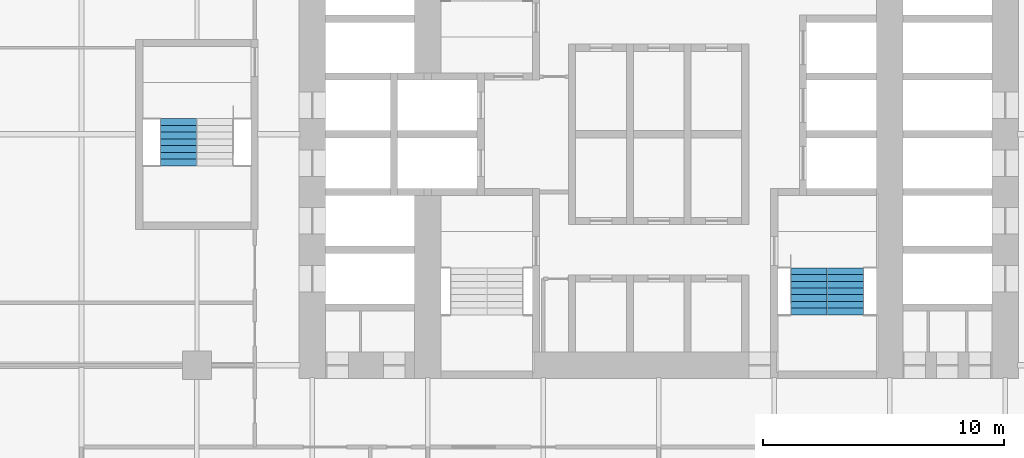
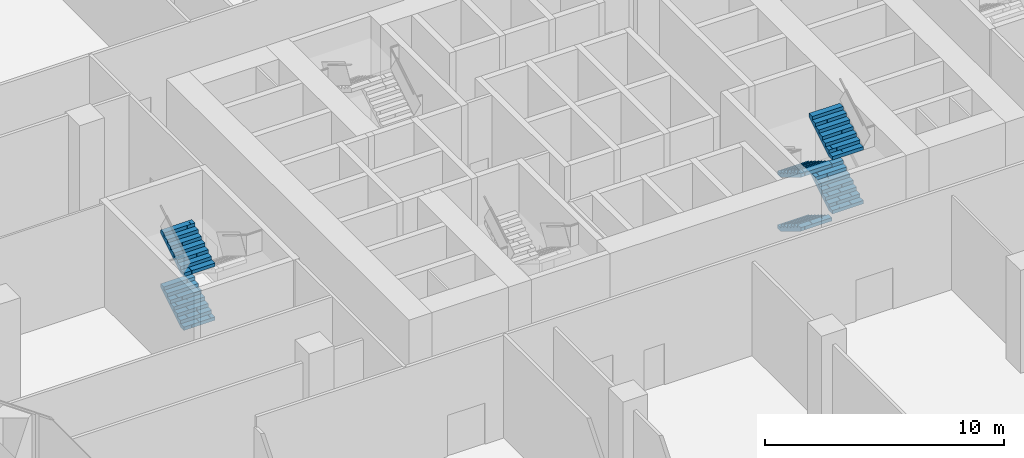
# One storey, part 23 of 27: 6 stair flights, 2 elements without a shape of their own.
"""IFC4 building model written with IfcOpenShell, lengths in metres."""

import ifcopenshell
import ifcopenshell.guid

model = None  # the IFC model being written
_history = None  # IfcOwnerHistory: only IFC2X3 demands one
_inside = {}  # id of a spatial element -> (the spatial element, [elements in it])
_under = {}  # id of a project, library or spatial element -> (it, [spatial elements below it])
_declared = {}  # id of a project -> (the project, [libraries it declares])
_typed = {}  # id of a type object -> (the type object, [elements of that type])
_made_of = {}  # id of a material, layer set ... -> (it, [elements and type objects made of it])


def new_model(schema):
    """Start an empty IFC model of exactly this schema.

    Asked for "IFC4X3", IfcOpenShell would pick the latest addendum, in which some entities
    have other attributes; the version numbers below select the first issue.
    IFC2X3 requires an IfcOwnerHistory on every rooted entity: one is made here for all.
    """
    global model, _history
    if schema == "IFC4X3":
        model = ifcopenshell.file(schema_version=(4, 3, 0, 0))
    else:
        model = ifcopenshell.file(schema=schema)
    _inside.clear()
    _under.clear()
    _declared.clear()
    _typed.clear()
    _made_of.clear()
    _history = None
    if model.schema == "IFC2X3":
        org = make("IfcOrganization", Name="unknown")
        user = make(
            "IfcPersonAndOrganization",
            ThePerson=make("IfcPerson", FamilyName="unknown"),
            TheOrganization=org,
        )
        app = make(
            "IfcApplication",
            ApplicationDeveloper=org,
            Version="unknown",
            ApplicationFullName="unknown",
            ApplicationIdentifier="unknown",
        )
        _history = make(
            "IfcOwnerHistory",
            OwningUser=user,
            OwningApplication=app,
            ChangeAction="ADDED",
            CreationDate=0,
        )
    return model


def make(cls, **values):
    """One entity of the class cls with the attributes given. An attribute that is None is left unset."""
    return model.create_entity(
        cls, **{name: value for name, value in values.items() if value is not None}
    )


def rooted(cls, **values):
    """An entity with a GlobalId (a new one), such as an element, a storey or a relation."""
    return make(cls, GlobalId=ifcopenshell.guid.new(), OwnerHistory=_history, **values)


def si_unit(unit_type, name, prefix=None):
    """IfcSIUnit, for example si_unit("LENGTHUNIT", "METRE", prefix="MILLI")."""
    return make("IfcSIUnit", UnitType=unit_type, Prefix=prefix, Name=name)


def assignment(units):
    """IfcUnitAssignment: the units of a project."""
    return None if units is None else make("IfcUnitAssignment", Units=units)


def point(xyz):
    """IfcCartesianPoint."""
    return None if xyz is None else make("IfcCartesianPoint", Coordinates=xyz)


def direction(xyz):
    """IfcDirection."""
    return None if xyz is None else make("IfcDirection", DirectionRatios=xyz)


def frame(location, z_axis=None, x_axis=None):
    """IfcAxis2Placement3D, a coordinate frame: its origin and axes. An axis left out is left unset."""
    return make(
        "IfcAxis2Placement3D",
        Location=point(location),
        Axis=direction(z_axis),
        RefDirection=direction(x_axis),
    )


def origin():
    """The frame at (0, 0, 0) with its axes left unset."""
    return frame((0.0, 0.0, 0.0))


def place(relative_to, where):
    """IfcLocalPlacement: puts the frame where relative to a parent placement (None: the world)."""
    return make(
        "IfcLocalPlacement", PlacementRelTo=relative_to, RelativePlacement=where
    )


def context(
    kind, dimensions, precision=None, world=None, true_north=None, identifier=None
):
    """IfcGeometricRepresentationContext, for example the 3D "Model" context."""
    return make(
        "IfcGeometricRepresentationContext",
        ContextIdentifier=identifier,
        ContextType=kind,
        CoordinateSpaceDimension=dimensions,
        Precision=precision,
        WorldCoordinateSystem=world,
        TrueNorth=true_north,
    )


def subcontext(parent, identifier, kind, view, scale=None):
    """IfcGeometricRepresentationSubContext, for example "Body" below "Model"."""
    return make(
        "IfcGeometricRepresentationSubContext",
        ContextIdentifier=identifier,
        ContextType=kind,
        ParentContext=parent,
        TargetScale=scale,
        TargetView=view,
    )


def project(units=None, contexts=None):
    """IfcProject with its units and contexts."""
    return rooted(
        "IfcProject",
        Name="project",
        RepresentationContexts=contexts,
        UnitsInContext=assignment(units),
    )


def spatial(cls, under=None, at=None, **own):
    """A site, building, storey or space (cls), placed at a placement, below another one or the project."""
    s = rooted(cls, ObjectPlacement=at, **own)
    if under is not None:
        _under.setdefault(under.id(), (under, []))[1].append(s)
    return s


def polyline(points):
    """IfcPolyline through the points."""
    return make("IfcPolyline", Points=[point(p) for p in points])


def outline(outer, holes=None, kind="AREA"):
    """IfcArbitraryClosedProfileDef: a profile drawn as a closed curve; with holes, ...WithVoids."""
    if holes is None:
        return make("IfcArbitraryClosedProfileDef", ProfileType=kind, OuterCurve=outer)
    return make(
        "IfcArbitraryProfileDefWithVoids",
        ProfileType=kind,
        OuterCurve=outer,
        InnerCurves=holes,
    )


def extrude(swept, where, along, depth):
    """IfcExtrudedAreaSolid: the profile swept, set in the frame where, extruded along a direction by depth."""
    return make(
        "IfcExtrudedAreaSolid",
        SweptArea=swept,
        Position=where,
        ExtrudedDirection=direction(along),
        Depth=depth,
    )


def shape(context_of_items, identifier, shape_type, items):
    """IfcShapeRepresentation: the items that make up one representation, for example the "Body"."""
    return make(
        "IfcShapeRepresentation",
        ContextOfItems=context_of_items,
        RepresentationIdentifier=identifier,
        RepresentationType=shape_type,
        Items=items,
    )


def material(Name=None, Category=None):
    """IfcMaterial."""
    return make("IfcMaterial", Name=Name, Category=Category)


def made_of(thing, what):
    """Note that an element or type object is made of a material, layer set ...; save() writes the relation."""
    if what is not None:
        _made_of.setdefault(what.id(), (what, []))[1].append(thing)
    return thing


def type_object(cls, material=None, **own):
    """A type object (cls), such as IfcWallType, which elements share."""
    return made_of(rooted(cls, **own), material)


def element(
    cls,
    number,
    at=None,
    inside=None,
    cuts=None,
    type_object=None,
    material=None,
    context=None,
    identifier="Body",
    shape_type=None,
    held_by="IfcProductDefinitionShape",
    body=None,
    shapes=None,
    **own,
):
    """One element of the class cls, such as IfcWall. Its Tag is "e" and its number.

    at: its placement. inside: the storey or other place that contains it. cuts: it is an
    opening in that element (IfcRelVoidsElement). A single representation is given by context,
    identifier, shape_type and body (its items); several are given by shapes. held_by: the class
    of the entity that holds the representations. save() writes the other relations.
    """
    e = rooted(cls, Tag="e%d" % number, ObjectPlacement=at, **own)
    if body is not None:
        shapes = [shape(context, identifier, shape_type, body)]
    if shapes is not None:
        e.Representation = make(held_by, Representations=shapes)
    if inside is not None:
        _inside.setdefault(inside.id(), (inside, []))[1].append(e)
    if cuts is not None:
        rooted(
            "IfcRelVoidsElement", RelatingBuildingElement=cuts, RelatedOpeningElement=e
        )
    if type_object is not None:
        _typed.setdefault(type_object.id(), (type_object, []))[1].append(e)
    return made_of(e, material)


def aggregate(whole, parts):
    """IfcRelAggregates: a whole, such as a stair, and the parts it consists of."""
    return rooted("IfcRelAggregates", RelatingObject=whole, RelatedObjects=parts)


def save(model, path):
    """Write the relations noted so far, then the file.

    IfcRelAggregates (storeys below a building ...), IfcRelContainedInSpatialStructure (elements
    in a storey), IfcRelDefinesByType, IfcRelAssociatesMaterial and IfcRelDeclares: one each for
    every whole, place, type object, material and project.
    """
    for whole, parts in _under.values():
        aggregate(whole, parts)
    for where, things in _inside.values():
        rooted(
            "IfcRelContainedInSpatialStructure",
            RelatedElements=things,
            RelatingStructure=where,
        )
    for kind, things in _typed.values():
        rooted("IfcRelDefinesByType", RelatedObjects=things, RelatingType=kind)
    for what, things in _made_of.values():
        rooted("IfcRelAssociatesMaterial", RelatedObjects=things, RelatingMaterial=what)
    for by, libraries in _declared.values():
        rooted("IfcRelDeclares", RelatingContext=by, RelatedDefinitions=libraries)
    model.write(path)


model = new_model("IFC4")

# Units and contexts
model_context = context("Model", 3, precision=1e-05, world=origin(), true_north=direction((0.0, 1.0)))
body_context = subcontext(model_context, "Body", "Model", "MODEL_VIEW")
ifc_project = project(units=[si_unit("LENGTHUNIT", "METRE"), si_unit("AREAUNIT", "SQUARE_METRE"), si_unit("VOLUMEUNIT", "CUBIC_METRE"), si_unit("PLANEANGLEUNIT", "RADIAN"), si_unit("MASSUNIT", "GRAM", prefix="KILO")], contexts=[model_context])

# Site, building, storey
site_placement = place(None, origin())
site = spatial("IfcSite", under=ifc_project, at=site_placement, CompositionType="ELEMENT")
building_placement = place(site_placement, origin())
building = spatial("IfcBuilding", under=site, at=building_placement, Name="Kolab Exchange Tower", CompositionType="ELEMENT")
storey_placement = place(building_placement, frame((0.0, 0.0, 49.89990234375)))
storey = spatial("IfcBuildingStorey", under=building, at=storey_placement, Name="L09", CompositionType="ELEMENT", Elevation=49.89990234375)

# Stair, stair flights
ifc_material = material(Name="Concrete C50/60", Category="concrete")
stair_type_1 = type_object("IfcStairType", Name="STAIR ST2 RISER 171.9", PredefinedType="DOUBLE_RETURN_STAIR", material=ifc_material)
stair_1_placement = place(storey_placement, origin())
stair_1 = element("IfcStair", 1, at=stair_1_placement, inside=storey, type_object=stair_type_1, Name="Stair 2", PredefinedType="DOUBLE_RETURN_STAIR")
stair_flight_type = type_object("IfcStairFlightType", Name="STAIR FLIGHT 1500 RISER 171.9", PredefinedType="STRAIGHT", material=ifc_material)
stair_flight_1_placement = place(storey_placement, frame((6.239990234375, -5.550048828125, 0.0), z_axis=(0.0, 0.0, 1.0), x_axis=(0.0, -1.0, 0.0)))
stair_flight_1 = element("IfcStairFlight", 2, at=stair_flight_1_placement, type_object=stair_flight_type, Name="ST2 flight 1", NumberOfRisers=8, NumberOfTreads=7, PredefinedType="STRAIGHT", RiserHeight=0.171875, TreadLength=0.28, context=body_context, shape_type="SweptSolid", body=[
    extrude(outline(polyline([(0.0, 0.0), (0.0, 0.171875), (0.280029296875, 0.171875), (0.280029296875, 0.34375), (0.56005859375, 0.34375), (0.56005859375, 0.515625), (0.840087890625, 0.515625), (0.840087890625, 0.6875), (1.1201171875, 0.6875), (1.1201171875, 0.859375), (1.39990234375, 0.859375), (1.39990234375, 1.03125), (1.679931640625, 1.03125), (1.679931640625, 1.203125), (1.9599609375, 1.203125), (1.9599609375, 1.375), (1.9599609375, 1.02734375), (0.28662109375, 0.0), (0.0, 0.0)])), frame((0.0, 0.75, 0.0), z_axis=(0.0, -1.0, 0.0), x_axis=(1.0, 0.0, 0.0)), (0.0, 0.0, 1.0), 0.185791015625),
    extrude(outline(polyline([(0.0, 0.0), (0.0, 0.171875), (0.280029296875, 0.171875), (0.280029296875, 0.34375), (0.56005859375, 0.34375), (0.56005859375, 0.515625), (0.840087890625, 0.515625), (0.840087890625, 0.6875), (1.1201171875, 0.6875), (1.1201171875, 0.859375), (1.39990234375, 0.859375), (1.39990234375, 1.03125), (1.679931640625, 1.03125), (1.679931640625, 1.203125), (1.9599609375, 1.203125), (1.9599609375, 1.375), (1.9599609375, 1.02734375), (0.28662109375, 0.0), (0.0, 0.0)])), frame((0.0, 0.562255859375, 0.0), z_axis=(0.0, -1.0, 0.0), x_axis=(1.0, 0.0, 0.0)), (0.0, 0.0, 1.0), 0.185791015625),
    extrude(outline(polyline([(0.0, 0.0), (0.0, 0.171875), (0.280029296875, 0.171875), (0.280029296875, 0.34375), (0.56005859375, 0.34375), (0.56005859375, 0.515625), (0.840087890625, 0.515625), (0.840087890625, 0.6875), (1.1201171875, 0.6875), (1.1201171875, 0.859375), (1.39990234375, 0.859375), (1.39990234375, 1.03125), (1.679931640625, 1.03125), (1.679931640625, 1.203125), (1.9599609375, 1.203125), (1.9599609375, 1.375), (1.9599609375, 1.02734375), (0.28662109375, 0.0), (0.0, 0.0)])), frame((0.0, 0.37451171875, 0.0), z_axis=(0.0, -1.0, 0.0), x_axis=(1.0, 0.0, 0.0)), (0.0, 0.0, 1.0), 0.185791015625),
    extrude(outline(polyline([(0.0, 0.0), (0.0, 0.171875), (0.280029296875, 0.171875), (0.280029296875, 0.34375), (0.56005859375, 0.34375), (0.56005859375, 0.515625), (0.840087890625, 0.515625), (0.840087890625, 0.6875), (1.1201171875, 0.6875), (1.1201171875, 0.859375), (1.39990234375, 0.859375), (1.39990234375, 1.03125), (1.679931640625, 1.03125), (1.679931640625, 1.203125), (1.9599609375, 1.203125), (1.9599609375, 1.375), (1.9599609375, 1.02734375), (0.28662109375, 0.0), (0.0, 0.0)])), frame((0.0, 0.186767578125, 0.0), z_axis=(0.0, -1.0, 0.0), x_axis=(1.0, 0.0, 0.0)), (0.0, 0.0, 1.0), 0.185791015625),
    extrude(outline(polyline([(0.0, 0.0), (0.0, 0.171875), (0.280029296875, 0.171875), (0.280029296875, 0.34375), (0.56005859375, 0.34375), (0.56005859375, 0.515625), (0.840087890625, 0.515625), (0.840087890625, 0.6875), (1.1201171875, 0.6875), (1.1201171875, 0.859375), (1.39990234375, 0.859375), (1.39990234375, 1.03125), (1.679931640625, 1.03125), (1.679931640625, 1.203125), (1.9599609375, 1.203125), (1.9599609375, 1.375), (1.9599609375, 1.02734375), (0.28662109375, 0.0), (0.0, 0.0)])), frame((0.0, -0.0009765625, 0.0), z_axis=(0.0, -1.0, 0.0), x_axis=(1.0, 0.0, 0.0)), (0.0, 0.0, 1.0), 0.185791015625),
    extrude(outline(polyline([(0.0, 0.0), (0.0, 0.171875), (0.280029296875, 0.171875), (0.280029296875, 0.34375), (0.56005859375, 0.34375), (0.56005859375, 0.515625), (0.840087890625, 0.515625), (0.840087890625, 0.6875), (1.1201171875, 0.6875), (1.1201171875, 0.859375), (1.39990234375, 0.859375), (1.39990234375, 1.03125), (1.679931640625, 1.03125), (1.679931640625, 1.203125), (1.9599609375, 1.203125), (1.9599609375, 1.375), (1.9599609375, 1.02734375), (0.28662109375, 0.0), (0.0, 0.0)])), frame((0.0, -0.188720703125, 0.0), z_axis=(0.0, -1.0, 0.0), x_axis=(1.0, 0.0, 0.0)), (0.0, 0.0, 1.0), 0.185791015625),
    extrude(outline(polyline([(0.0, 0.0), (0.0, 0.171875), (0.280029296875, 0.171875), (0.280029296875, 0.34375), (0.56005859375, 0.34375), (0.56005859375, 0.515625), (0.840087890625, 0.515625), (0.840087890625, 0.6875), (1.1201171875, 0.6875), (1.1201171875, 0.859375), (1.39990234375, 0.859375), (1.39990234375, 1.03125), (1.679931640625, 1.03125), (1.679931640625, 1.203125), (1.9599609375, 1.203125), (1.9599609375, 1.375), (1.9599609375, 1.02734375), (0.28662109375, 0.0), (0.0, 0.0)])), frame((0.0, -0.37646484375, 0.0), z_axis=(0.0, -1.0, 0.0), x_axis=(1.0, 0.0, 0.0)), (0.0, 0.0, 1.0), 0.185791015625),
    extrude(outline(polyline([(0.0, 0.0), (0.0, 0.171875), (0.280029296875, 0.171875), (0.280029296875, 0.34375), (0.56005859375, 0.34375), (0.56005859375, 0.515625), (0.840087890625, 0.515625), (0.840087890625, 0.6875), (1.1201171875, 0.6875), (1.1201171875, 0.859375), (1.39990234375, 0.859375), (1.39990234375, 1.03125), (1.679931640625, 1.03125), (1.679931640625, 1.203125), (1.9599609375, 1.203125), (1.9599609375, 1.375), (1.9599609375, 1.02734375), (0.28662109375, 0.0), (0.0, 0.0)])), frame((0.0, -0.564208984375, 0.0), z_axis=(0.0, -1.0, 0.0), x_axis=(1.0, 0.0, 0.0)), (0.0, 0.0, 1.0), 0.185791015625),
])
stair_flight_2_placement = place(storey_placement, frame((7.760009765625, -7.510009765625, 1.375), z_axis=(0.0, 0.0, 1.0), x_axis=(0.0, 1.0, 0.0)))
stair_flight_2 = element("IfcStairFlight", 3, at=stair_flight_2_placement, type_object=stair_flight_type, Name="ST2 flight 2", NumberOfRisers=8, NumberOfTreads=7, PredefinedType="STRAIGHT", RiserHeight=0.171875, TreadLength=0.28, context=body_context, shape_type="SweptSolid", body=[
    extrude(outline(polyline([(0.0, 0.0), (0.0, 0.171875), (0.280029296875, 0.171875), (0.280029296875, 0.34375), (0.56005859375, 0.34375), (0.56005859375, 0.515625), (0.840087890625, 0.515625), (0.840087890625, 0.6875), (1.1201171875, 0.6875), (1.1201171875, 0.859375), (1.39990234375, 0.859375), (1.39990234375, 1.03125), (1.679931640625, 1.03125), (1.679931640625, 1.203125), (1.9599609375, 1.203125), (1.9599609375, 1.375), (1.9599609375, 1.02734375), (0.28662109375, 0.0), (0.0, 0.0)])), frame((0.0, 0.75, 0.0), z_axis=(0.0, -1.0, 0.0), x_axis=(1.0, 0.0, 0.0)), (0.0, 0.0, 1.0), 0.185791015625),
    extrude(outline(polyline([(0.0, 0.0), (0.0, 0.171875), (0.280029296875, 0.171875), (0.280029296875, 0.34375), (0.56005859375, 0.34375), (0.56005859375, 0.515625), (0.840087890625, 0.515625), (0.840087890625, 0.6875), (1.1201171875, 0.6875), (1.1201171875, 0.859375), (1.39990234375, 0.859375), (1.39990234375, 1.03125), (1.679931640625, 1.03125), (1.679931640625, 1.203125), (1.9599609375, 1.203125), (1.9599609375, 1.375), (1.9599609375, 1.02734375), (0.28662109375, 0.0), (0.0, 0.0)])), frame((0.0, 0.562255859375, 0.0), z_axis=(0.0, -1.0, 0.0), x_axis=(1.0, 0.0, 0.0)), (0.0, 0.0, 1.0), 0.185791015625),
    extrude(outline(polyline([(0.0, 0.0), (0.0, 0.171875), (0.280029296875, 0.171875), (0.280029296875, 0.34375), (0.56005859375, 0.34375), (0.56005859375, 0.515625), (0.840087890625, 0.515625), (0.840087890625, 0.6875), (1.1201171875, 0.6875), (1.1201171875, 0.859375), (1.39990234375, 0.859375), (1.39990234375, 1.03125), (1.679931640625, 1.03125), (1.679931640625, 1.203125), (1.9599609375, 1.203125), (1.9599609375, 1.375), (1.9599609375, 1.02734375), (0.28662109375, 0.0), (0.0, 0.0)])), frame((0.0, 0.37451171875, 0.0), z_axis=(0.0, -1.0, 0.0), x_axis=(1.0, 0.0, 0.0)), (0.0, 0.0, 1.0), 0.185791015625),
    extrude(outline(polyline([(0.0, 0.0), (0.0, 0.171875), (0.280029296875, 0.171875), (0.280029296875, 0.34375), (0.56005859375, 0.34375), (0.56005859375, 0.515625), (0.840087890625, 0.515625), (0.840087890625, 0.6875), (1.1201171875, 0.6875), (1.1201171875, 0.859375), (1.39990234375, 0.859375), (1.39990234375, 1.03125), (1.679931640625, 1.03125), (1.679931640625, 1.203125), (1.9599609375, 1.203125), (1.9599609375, 1.375), (1.9599609375, 1.02734375), (0.28662109375, 0.0), (0.0, 0.0)])), frame((0.0, 0.186767578125, 0.0), z_axis=(0.0, -1.0, 0.0), x_axis=(1.0, 0.0, 0.0)), (0.0, 0.0, 1.0), 0.185791015625),
    extrude(outline(polyline([(0.0, 0.0), (0.0, 0.171875), (0.280029296875, 0.171875), (0.280029296875, 0.34375), (0.56005859375, 0.34375), (0.56005859375, 0.515625), (0.840087890625, 0.515625), (0.840087890625, 0.6875), (1.1201171875, 0.6875), (1.1201171875, 0.859375), (1.39990234375, 0.859375), (1.39990234375, 1.03125), (1.679931640625, 1.03125), (1.679931640625, 1.203125), (1.9599609375, 1.203125), (1.9599609375, 1.375), (1.9599609375, 1.02734375), (0.28662109375, 0.0), (0.0, 0.0)])), frame((0.0, -0.0009765625, 0.0), z_axis=(0.0, -1.0, 0.0), x_axis=(1.0, 0.0, 0.0)), (0.0, 0.0, 1.0), 0.185791015625),
    extrude(outline(polyline([(0.0, 0.0), (0.0, 0.171875), (0.280029296875, 0.171875), (0.280029296875, 0.34375), (0.56005859375, 0.34375), (0.56005859375, 0.515625), (0.840087890625, 0.515625), (0.840087890625, 0.6875), (1.1201171875, 0.6875), (1.1201171875, 0.859375), (1.39990234375, 0.859375), (1.39990234375, 1.03125), (1.679931640625, 1.03125), (1.679931640625, 1.203125), (1.9599609375, 1.203125), (1.9599609375, 1.375), (1.9599609375, 1.02734375), (0.28662109375, 0.0), (0.0, 0.0)])), frame((0.0, -0.188720703125, 0.0), z_axis=(0.0, -1.0, 0.0), x_axis=(1.0, 0.0, 0.0)), (0.0, 0.0, 1.0), 0.185791015625),
    extrude(outline(polyline([(0.0, 0.0), (0.0, 0.171875), (0.280029296875, 0.171875), (0.280029296875, 0.34375), (0.56005859375, 0.34375), (0.56005859375, 0.515625), (0.840087890625, 0.515625), (0.840087890625, 0.6875), (1.1201171875, 0.6875), (1.1201171875, 0.859375), (1.39990234375, 0.859375), (1.39990234375, 1.03125), (1.679931640625, 1.03125), (1.679931640625, 1.203125), (1.9599609375, 1.203125), (1.9599609375, 1.375), (1.9599609375, 1.02734375), (0.28662109375, 0.0), (0.0, 0.0)])), frame((0.0, -0.37646484375, 0.0), z_axis=(0.0, -1.0, 0.0), x_axis=(1.0, 0.0, 0.0)), (0.0, 0.0, 1.0), 0.185791015625),
    extrude(outline(polyline([(0.0, 0.0), (0.0, 0.171875), (0.280029296875, 0.171875), (0.280029296875, 0.34375), (0.56005859375, 0.34375), (0.56005859375, 0.515625), (0.840087890625, 0.515625), (0.840087890625, 0.6875), (1.1201171875, 0.6875), (1.1201171875, 0.859375), (1.39990234375, 0.859375), (1.39990234375, 1.03125), (1.679931640625, 1.03125), (1.679931640625, 1.203125), (1.9599609375, 1.203125), (1.9599609375, 1.375), (1.9599609375, 1.02734375), (0.28662109375, 0.0), (0.0, 0.0)])), frame((0.0, -0.564208984375, 0.0), z_axis=(0.0, -1.0, 0.0), x_axis=(1.0, 0.0, 0.0)), (0.0, 0.0, 1.0), 0.185791015625),
])
stair_flight_3_placement = place(storey_placement, frame((6.239990234375, -5.550048828125, 2.75), z_axis=(0.0, 0.0, 1.0), x_axis=(0.0, -1.0, 0.0)))
stair_flight_3 = element("IfcStairFlight", 4, at=stair_flight_3_placement, type_object=stair_flight_type, Name="ST2 flight 3", NumberOfRisers=8, NumberOfTreads=7, PredefinedType="STRAIGHT", RiserHeight=0.171875, TreadLength=0.28, context=body_context, shape_type="SweptSolid", body=[
    extrude(outline(polyline([(0.0, 0.0), (0.0, 0.171875), (0.280029296875, 0.171875), (0.280029296875, 0.34375), (0.56005859375, 0.34375), (0.56005859375, 0.515625), (0.840087890625, 0.515625), (0.840087890625, 0.6875), (1.1201171875, 0.6875), (1.1201171875, 0.859375), (1.39990234375, 0.859375), (1.39990234375, 1.03125), (1.679931640625, 1.03125), (1.679931640625, 1.203125), (1.9599609375, 1.203125), (1.9599609375, 1.375), (1.9599609375, 1.02734375), (0.28662109375, 0.0), (0.0, 0.0)])), frame((0.0, 0.75, 0.0), z_axis=(0.0, -1.0, 0.0), x_axis=(1.0, 0.0, 0.0)), (0.0, 0.0, 1.0), 0.185791015625),
    extrude(outline(polyline([(0.0, 0.0), (0.0, 0.171875), (0.280029296875, 0.171875), (0.280029296875, 0.34375), (0.56005859375, 0.34375), (0.56005859375, 0.515625), (0.840087890625, 0.515625), (0.840087890625, 0.6875), (1.1201171875, 0.6875), (1.1201171875, 0.859375), (1.39990234375, 0.859375), (1.39990234375, 1.03125), (1.679931640625, 1.03125), (1.679931640625, 1.203125), (1.9599609375, 1.203125), (1.9599609375, 1.375), (1.9599609375, 1.02734375), (0.28662109375, 0.0), (0.0, 0.0)])), frame((0.0, 0.562255859375, 0.0), z_axis=(0.0, -1.0, 0.0), x_axis=(1.0, 0.0, 0.0)), (0.0, 0.0, 1.0), 0.185791015625),
    extrude(outline(polyline([(0.0, 0.0), (0.0, 0.171875), (0.280029296875, 0.171875), (0.280029296875, 0.34375), (0.56005859375, 0.34375), (0.56005859375, 0.515625), (0.840087890625, 0.515625), (0.840087890625, 0.6875), (1.1201171875, 0.6875), (1.1201171875, 0.859375), (1.39990234375, 0.859375), (1.39990234375, 1.03125), (1.679931640625, 1.03125), (1.679931640625, 1.203125), (1.9599609375, 1.203125), (1.9599609375, 1.375), (1.9599609375, 1.02734375), (0.28662109375, 0.0), (0.0, 0.0)])), frame((0.0, 0.37451171875, 0.0), z_axis=(0.0, -1.0, 0.0), x_axis=(1.0, 0.0, 0.0)), (0.0, 0.0, 1.0), 0.185791015625),
    extrude(outline(polyline([(0.0, 0.0), (0.0, 0.171875), (0.280029296875, 0.171875), (0.280029296875, 0.34375), (0.56005859375, 0.34375), (0.56005859375, 0.515625), (0.840087890625, 0.515625), (0.840087890625, 0.6875), (1.1201171875, 0.6875), (1.1201171875, 0.859375), (1.39990234375, 0.859375), (1.39990234375, 1.03125), (1.679931640625, 1.03125), (1.679931640625, 1.203125), (1.9599609375, 1.203125), (1.9599609375, 1.375), (1.9599609375, 1.02734375), (0.28662109375, 0.0), (0.0, 0.0)])), frame((0.0, 0.186767578125, 0.0), z_axis=(0.0, -1.0, 0.0), x_axis=(1.0, 0.0, 0.0)), (0.0, 0.0, 1.0), 0.185791015625),
    extrude(outline(polyline([(0.0, 0.0), (0.0, 0.171875), (0.280029296875, 0.171875), (0.280029296875, 0.34375), (0.56005859375, 0.34375), (0.56005859375, 0.515625), (0.840087890625, 0.515625), (0.840087890625, 0.6875), (1.1201171875, 0.6875), (1.1201171875, 0.859375), (1.39990234375, 0.859375), (1.39990234375, 1.03125), (1.679931640625, 1.03125), (1.679931640625, 1.203125), (1.9599609375, 1.203125), (1.9599609375, 1.375), (1.9599609375, 1.02734375), (0.28662109375, 0.0), (0.0, 0.0)])), frame((0.0, -0.0009765625, 0.0), z_axis=(0.0, -1.0, 0.0), x_axis=(1.0, 0.0, 0.0)), (0.0, 0.0, 1.0), 0.185791015625),
    extrude(outline(polyline([(0.0, 0.0), (0.0, 0.171875), (0.280029296875, 0.171875), (0.280029296875, 0.34375), (0.56005859375, 0.34375), (0.56005859375, 0.515625), (0.840087890625, 0.515625), (0.840087890625, 0.6875), (1.1201171875, 0.6875), (1.1201171875, 0.859375), (1.39990234375, 0.859375), (1.39990234375, 1.03125), (1.679931640625, 1.03125), (1.679931640625, 1.203125), (1.9599609375, 1.203125), (1.9599609375, 1.375), (1.9599609375, 1.02734375), (0.28662109375, 0.0), (0.0, 0.0)])), frame((0.0, -0.188720703125, 0.0), z_axis=(0.0, -1.0, 0.0), x_axis=(1.0, 0.0, 0.0)), (0.0, 0.0, 1.0), 0.185791015625),
    extrude(outline(polyline([(0.0, 0.0), (0.0, 0.171875), (0.280029296875, 0.171875), (0.280029296875, 0.34375), (0.56005859375, 0.34375), (0.56005859375, 0.515625), (0.840087890625, 0.515625), (0.840087890625, 0.6875), (1.1201171875, 0.6875), (1.1201171875, 0.859375), (1.39990234375, 0.859375), (1.39990234375, 1.03125), (1.679931640625, 1.03125), (1.679931640625, 1.203125), (1.9599609375, 1.203125), (1.9599609375, 1.375), (1.9599609375, 1.02734375), (0.28662109375, 0.0), (0.0, 0.0)])), frame((0.0, -0.37646484375, 0.0), z_axis=(0.0, -1.0, 0.0), x_axis=(1.0, 0.0, 0.0)), (0.0, 0.0, 1.0), 0.185791015625),
    extrude(outline(polyline([(0.0, 0.0), (0.0, 0.171875), (0.280029296875, 0.171875), (0.280029296875, 0.34375), (0.56005859375, 0.34375), (0.56005859375, 0.515625), (0.840087890625, 0.515625), (0.840087890625, 0.6875), (1.1201171875, 0.6875), (1.1201171875, 0.859375), (1.39990234375, 0.859375), (1.39990234375, 1.03125), (1.679931640625, 1.03125), (1.679931640625, 1.203125), (1.9599609375, 1.203125), (1.9599609375, 1.375), (1.9599609375, 1.02734375), (0.28662109375, 0.0), (0.0, 0.0)])), frame((0.0, -0.564208984375, 0.0), z_axis=(0.0, -1.0, 0.0), x_axis=(1.0, 0.0, 0.0)), (0.0, 0.0, 1.0), 0.185791015625),
])
stair_flight_4_placement = place(storey_placement, frame((7.760009765625, -7.510009765625, 4.125), z_axis=(0.0, 0.0, 1.0), x_axis=(0.0, 1.0, 0.0)))
stair_flight_4 = element("IfcStairFlight", 5, at=stair_flight_4_placement, type_object=stair_flight_type, Name="ST2 flight 4", NumberOfRisers=8, NumberOfTreads=7, PredefinedType="STRAIGHT", RiserHeight=0.171875, TreadLength=0.28, context=body_context, shape_type="SweptSolid", body=[
    extrude(outline(polyline([(0.0, 0.0), (0.0, 0.171875), (0.280029296875, 0.171875), (0.280029296875, 0.34375), (0.56005859375, 0.34375), (0.56005859375, 0.515625), (0.840087890625, 0.515625), (0.840087890625, 0.6875), (1.1201171875, 0.6875), (1.1201171875, 0.859375), (1.39990234375, 0.859375), (1.39990234375, 1.03125), (1.679931640625, 1.03125), (1.679931640625, 1.203125), (1.9599609375, 1.203125), (1.9599609375, 1.375), (1.9599609375, 1.02734375), (0.28662109375, 0.0), (0.0, 0.0)])), frame((0.0, 0.75, 0.0), z_axis=(0.0, -1.0, 0.0), x_axis=(1.0, 0.0, 0.0)), (0.0, 0.0, 1.0), 0.185791015625),
    extrude(outline(polyline([(0.0, 0.0), (0.0, 0.171875), (0.280029296875, 0.171875), (0.280029296875, 0.34375), (0.56005859375, 0.34375), (0.56005859375, 0.515625), (0.840087890625, 0.515625), (0.840087890625, 0.6875), (1.1201171875, 0.6875), (1.1201171875, 0.859375), (1.39990234375, 0.859375), (1.39990234375, 1.03125), (1.679931640625, 1.03125), (1.679931640625, 1.203125), (1.9599609375, 1.203125), (1.9599609375, 1.375), (1.9599609375, 1.02734375), (0.28662109375, 0.0), (0.0, 0.0)])), frame((0.0, 0.562255859375, 0.0), z_axis=(0.0, -1.0, 0.0), x_axis=(1.0, 0.0, 0.0)), (0.0, 0.0, 1.0), 0.185791015625),
    extrude(outline(polyline([(0.0, 0.0), (0.0, 0.171875), (0.280029296875, 0.171875), (0.280029296875, 0.34375), (0.56005859375, 0.34375), (0.56005859375, 0.515625), (0.840087890625, 0.515625), (0.840087890625, 0.6875), (1.1201171875, 0.6875), (1.1201171875, 0.859375), (1.39990234375, 0.859375), (1.39990234375, 1.03125), (1.679931640625, 1.03125), (1.679931640625, 1.203125), (1.9599609375, 1.203125), (1.9599609375, 1.375), (1.9599609375, 1.02734375), (0.28662109375, 0.0), (0.0, 0.0)])), frame((0.0, 0.37451171875, 0.0), z_axis=(0.0, -1.0, 0.0), x_axis=(1.0, 0.0, 0.0)), (0.0, 0.0, 1.0), 0.185791015625),
    extrude(outline(polyline([(0.0, 0.0), (0.0, 0.171875), (0.280029296875, 0.171875), (0.280029296875, 0.34375), (0.56005859375, 0.34375), (0.56005859375, 0.515625), (0.840087890625, 0.515625), (0.840087890625, 0.6875), (1.1201171875, 0.6875), (1.1201171875, 0.859375), (1.39990234375, 0.859375), (1.39990234375, 1.03125), (1.679931640625, 1.03125), (1.679931640625, 1.203125), (1.9599609375, 1.203125), (1.9599609375, 1.375), (1.9599609375, 1.02734375), (0.28662109375, 0.0), (0.0, 0.0)])), frame((0.0, 0.186767578125, 0.0), z_axis=(0.0, -1.0, 0.0), x_axis=(1.0, 0.0, 0.0)), (0.0, 0.0, 1.0), 0.185791015625),
    extrude(outline(polyline([(0.0, 0.0), (0.0, 0.171875), (0.280029296875, 0.171875), (0.280029296875, 0.34375), (0.56005859375, 0.34375), (0.56005859375, 0.515625), (0.840087890625, 0.515625), (0.840087890625, 0.6875), (1.1201171875, 0.6875), (1.1201171875, 0.859375), (1.39990234375, 0.859375), (1.39990234375, 1.03125), (1.679931640625, 1.03125), (1.679931640625, 1.203125), (1.9599609375, 1.203125), (1.9599609375, 1.375), (1.9599609375, 1.02734375), (0.28662109375, 0.0), (0.0, 0.0)])), frame((0.0, -0.0009765625, 0.0), z_axis=(0.0, -1.0, 0.0), x_axis=(1.0, 0.0, 0.0)), (0.0, 0.0, 1.0), 0.185791015625),
    extrude(outline(polyline([(0.0, 0.0), (0.0, 0.171875), (0.280029296875, 0.171875), (0.280029296875, 0.34375), (0.56005859375, 0.34375), (0.56005859375, 0.515625), (0.840087890625, 0.515625), (0.840087890625, 0.6875), (1.1201171875, 0.6875), (1.1201171875, 0.859375), (1.39990234375, 0.859375), (1.39990234375, 1.03125), (1.679931640625, 1.03125), (1.679931640625, 1.203125), (1.9599609375, 1.203125), (1.9599609375, 1.375), (1.9599609375, 1.02734375), (0.28662109375, 0.0), (0.0, 0.0)])), frame((0.0, -0.188720703125, 0.0), z_axis=(0.0, -1.0, 0.0), x_axis=(1.0, 0.0, 0.0)), (0.0, 0.0, 1.0), 0.185791015625),
    extrude(outline(polyline([(0.0, 0.0), (0.0, 0.171875), (0.280029296875, 0.171875), (0.280029296875, 0.34375), (0.56005859375, 0.34375), (0.56005859375, 0.515625), (0.840087890625, 0.515625), (0.840087890625, 0.6875), (1.1201171875, 0.6875), (1.1201171875, 0.859375), (1.39990234375, 0.859375), (1.39990234375, 1.03125), (1.679931640625, 1.03125), (1.679931640625, 1.203125), (1.9599609375, 1.203125), (1.9599609375, 1.375), (1.9599609375, 1.02734375), (0.28662109375, 0.0), (0.0, 0.0)])), frame((0.0, -0.37646484375, 0.0), z_axis=(0.0, -1.0, 0.0), x_axis=(1.0, 0.0, 0.0)), (0.0, 0.0, 1.0), 0.185791015625),
    extrude(outline(polyline([(0.0, 0.0), (0.0, 0.171875), (0.280029296875, 0.171875), (0.280029296875, 0.34375), (0.56005859375, 0.34375), (0.56005859375, 0.515625), (0.840087890625, 0.515625), (0.840087890625, 0.6875), (1.1201171875, 0.6875), (1.1201171875, 0.859375), (1.39990234375, 0.859375), (1.39990234375, 1.03125), (1.679931640625, 1.03125), (1.679931640625, 1.203125), (1.9599609375, 1.203125), (1.9599609375, 1.375), (1.9599609375, 1.02734375), (0.28662109375, 0.0), (0.0, 0.0)])), frame((0.0, -0.564208984375, 0.0), z_axis=(0.0, -1.0, 0.0), x_axis=(1.0, 0.0, 0.0)), (0.0, 0.0, 1.0), 0.185791015625),
])
aggregate(stair_1, [stair_flight_1, stair_flight_2, stair_flight_3, stair_flight_4])

stair_type_2 = type_object("IfcStairType", Name="STAIR ST5 RISER 171.9", PredefinedType="DOUBLE_RETURN_STAIR", material=ifc_material)
stair_2_placement = place(storey_placement, origin())
stair_2 = element("IfcStair", 6, at=stair_2_placement, inside=storey, type_object=stair_type_2, Name="Stair 5", PredefinedType="DOUBLE_RETURN_STAIR")
stair_flight_5_placement = place(storey_placement, frame((-19.9599609375, -1.31005859375, 1.375), z_axis=(0.0, 0.0, 1.0), x_axis=(0.0, 1.0, 0.0)))
stair_flight_5 = element("IfcStairFlight", 7, at=stair_flight_5_placement, type_object=stair_flight_type, Name="ST5 flight 2", NumberOfRisers=8, NumberOfTreads=7, PredefinedType="STRAIGHT", RiserHeight=0.171875, TreadLength=0.28, context=body_context, shape_type="SweptSolid", body=[
    extrude(outline(polyline([(0.0, 0.0), (0.0, 0.171875), (0.280029296875, 0.171875), (0.280029296875, 0.34375), (0.56005859375, 0.34375), (0.56005859375, 0.515625), (0.840087890625, 0.515625), (0.840087890625, 0.6875), (1.1201171875, 0.6875), (1.1201171875, 0.859375), (1.39990234375, 0.859375), (1.39990234375, 1.03125), (1.679931640625, 1.03125), (1.679931640625, 1.203125), (1.9599609375, 1.203125), (1.9599609375, 1.375), (1.9599609375, 1.02734375), (0.28662109375, 0.0), (0.0, 0.0)])), frame((0.0, 0.75, 0.0), z_axis=(0.0, -1.0, 0.0), x_axis=(1.0, 0.0, 0.0)), (0.0, 0.0, 1.0), 0.185791015625),
    extrude(outline(polyline([(0.0, 0.0), (0.0, 0.171875), (0.280029296875, 0.171875), (0.280029296875, 0.34375), (0.56005859375, 0.34375), (0.56005859375, 0.515625), (0.840087890625, 0.515625), (0.840087890625, 0.6875), (1.1201171875, 0.6875), (1.1201171875, 0.859375), (1.39990234375, 0.859375), (1.39990234375, 1.03125), (1.679931640625, 1.03125), (1.679931640625, 1.203125), (1.9599609375, 1.203125), (1.9599609375, 1.375), (1.9599609375, 1.02734375), (0.28662109375, 0.0), (0.0, 0.0)])), frame((0.0, 0.562255859375, 0.0), z_axis=(0.0, -1.0, 0.0), x_axis=(1.0, 0.0, 0.0)), (0.0, 0.0, 1.0), 0.185791015625),
    extrude(outline(polyline([(0.0, 0.0), (0.0, 0.171875), (0.280029296875, 0.171875), (0.280029296875, 0.34375), (0.56005859375, 0.34375), (0.56005859375, 0.515625), (0.840087890625, 0.515625), (0.840087890625, 0.6875), (1.1201171875, 0.6875), (1.1201171875, 0.859375), (1.39990234375, 0.859375), (1.39990234375, 1.03125), (1.679931640625, 1.03125), (1.679931640625, 1.203125), (1.9599609375, 1.203125), (1.9599609375, 1.375), (1.9599609375, 1.02734375), (0.28662109375, 0.0), (0.0, 0.0)])), frame((0.0, 0.37451171875, 0.0), z_axis=(0.0, -1.0, 0.0), x_axis=(1.0, 0.0, 0.0)), (0.0, 0.0, 1.0), 0.185791015625),
    extrude(outline(polyline([(0.0, 0.0), (0.0, 0.171875), (0.280029296875, 0.171875), (0.280029296875, 0.34375), (0.56005859375, 0.34375), (0.56005859375, 0.515625), (0.840087890625, 0.515625), (0.840087890625, 0.6875), (1.1201171875, 0.6875), (1.1201171875, 0.859375), (1.39990234375, 0.859375), (1.39990234375, 1.03125), (1.679931640625, 1.03125), (1.679931640625, 1.203125), (1.9599609375, 1.203125), (1.9599609375, 1.375), (1.9599609375, 1.02734375), (0.28662109375, 0.0), (0.0, 0.0)])), frame((0.0, 0.186767578125, 0.0), z_axis=(0.0, -1.0, 0.0), x_axis=(1.0, 0.0, 0.0)), (0.0, 0.0, 1.0), 0.185791015625),
    extrude(outline(polyline([(0.0, 0.0), (0.0, 0.171875), (0.280029296875, 0.171875), (0.280029296875, 0.34375), (0.56005859375, 0.34375), (0.56005859375, 0.515625), (0.840087890625, 0.515625), (0.840087890625, 0.6875), (1.1201171875, 0.6875), (1.1201171875, 0.859375), (1.39990234375, 0.859375), (1.39990234375, 1.03125), (1.679931640625, 1.03125), (1.679931640625, 1.203125), (1.9599609375, 1.203125), (1.9599609375, 1.375), (1.9599609375, 1.02734375), (0.28662109375, 0.0), (0.0, 0.0)])), frame((0.0, -0.0009765625, 0.0), z_axis=(0.0, -1.0, 0.0), x_axis=(1.0, 0.0, 0.0)), (0.0, 0.0, 1.0), 0.185791015625),
    extrude(outline(polyline([(0.0, 0.0), (0.0, 0.171875), (0.280029296875, 0.171875), (0.280029296875, 0.34375), (0.56005859375, 0.34375), (0.56005859375, 0.515625), (0.840087890625, 0.515625), (0.840087890625, 0.6875), (1.1201171875, 0.6875), (1.1201171875, 0.859375), (1.39990234375, 0.859375), (1.39990234375, 1.03125), (1.679931640625, 1.03125), (1.679931640625, 1.203125), (1.9599609375, 1.203125), (1.9599609375, 1.375), (1.9599609375, 1.02734375), (0.28662109375, 0.0), (0.0, 0.0)])), frame((0.0, -0.188720703125, 0.0), z_axis=(0.0, -1.0, 0.0), x_axis=(1.0, 0.0, 0.0)), (0.0, 0.0, 1.0), 0.185791015625),
    extrude(outline(polyline([(0.0, 0.0), (0.0, 0.171875), (0.280029296875, 0.171875), (0.280029296875, 0.34375), (0.56005859375, 0.34375), (0.56005859375, 0.515625), (0.840087890625, 0.515625), (0.840087890625, 0.6875), (1.1201171875, 0.6875), (1.1201171875, 0.859375), (1.39990234375, 0.859375), (1.39990234375, 1.03125), (1.679931640625, 1.03125), (1.679931640625, 1.203125), (1.9599609375, 1.203125), (1.9599609375, 1.375), (1.9599609375, 1.02734375), (0.28662109375, 0.0), (0.0, 0.0)])), frame((0.0, -0.37646484375, 0.0), z_axis=(0.0, -1.0, 0.0), x_axis=(1.0, 0.0, 0.0)), (0.0, 0.0, 1.0), 0.185791015625),
    extrude(outline(polyline([(0.0, 0.0), (0.0, 0.171875), (0.280029296875, 0.171875), (0.280029296875, 0.34375), (0.56005859375, 0.34375), (0.56005859375, 0.515625), (0.840087890625, 0.515625), (0.840087890625, 0.6875), (1.1201171875, 0.6875), (1.1201171875, 0.859375), (1.39990234375, 0.859375), (1.39990234375, 1.03125), (1.679931640625, 1.03125), (1.679931640625, 1.203125), (1.9599609375, 1.203125), (1.9599609375, 1.375), (1.9599609375, 1.02734375), (0.28662109375, 0.0), (0.0, 0.0)])), frame((0.0, -0.564208984375, 0.0), z_axis=(0.0, -1.0, 0.0), x_axis=(1.0, 0.0, 0.0)), (0.0, 0.0, 1.0), 0.185791015625),
])
stair_flight_6_placement = place(storey_placement, frame((-19.9599609375, -1.31005859375, 4.125), z_axis=(0.0, 0.0, 1.0), x_axis=(0.0, 1.0, 0.0)))
stair_flight_6 = element("IfcStairFlight", 8, at=stair_flight_6_placement, type_object=stair_flight_type, Name="ST5 flight 4", NumberOfRisers=8, NumberOfTreads=7, PredefinedType="STRAIGHT", RiserHeight=0.171875, TreadLength=0.28, context=body_context, shape_type="SweptSolid", body=[
    extrude(outline(polyline([(0.0, 0.0), (0.0, 0.171875), (0.280029296875, 0.171875), (0.280029296875, 0.34375), (0.56005859375, 0.34375), (0.56005859375, 0.515625), (0.840087890625, 0.515625), (0.840087890625, 0.6875), (1.1201171875, 0.6875), (1.1201171875, 0.859375), (1.39990234375, 0.859375), (1.39990234375, 1.03125), (1.679931640625, 1.03125), (1.679931640625, 1.203125), (1.9599609375, 1.203125), (1.9599609375, 1.375), (1.9599609375, 1.02734375), (0.28662109375, 0.0), (0.0, 0.0)])), frame((0.0, 0.75, 0.0), z_axis=(0.0, -1.0, 0.0), x_axis=(1.0, 0.0, 0.0)), (0.0, 0.0, 1.0), 0.185791015625),
    extrude(outline(polyline([(0.0, 0.0), (0.0, 0.171875), (0.280029296875, 0.171875), (0.280029296875, 0.34375), (0.56005859375, 0.34375), (0.56005859375, 0.515625), (0.840087890625, 0.515625), (0.840087890625, 0.6875), (1.1201171875, 0.6875), (1.1201171875, 0.859375), (1.39990234375, 0.859375), (1.39990234375, 1.03125), (1.679931640625, 1.03125), (1.679931640625, 1.203125), (1.9599609375, 1.203125), (1.9599609375, 1.375), (1.9599609375, 1.02734375), (0.28662109375, 0.0), (0.0, 0.0)])), frame((0.0, 0.562255859375, 0.0), z_axis=(0.0, -1.0, 0.0), x_axis=(1.0, 0.0, 0.0)), (0.0, 0.0, 1.0), 0.185791015625),
    extrude(outline(polyline([(0.0, 0.0), (0.0, 0.171875), (0.280029296875, 0.171875), (0.280029296875, 0.34375), (0.56005859375, 0.34375), (0.56005859375, 0.515625), (0.840087890625, 0.515625), (0.840087890625, 0.6875), (1.1201171875, 0.6875), (1.1201171875, 0.859375), (1.39990234375, 0.859375), (1.39990234375, 1.03125), (1.679931640625, 1.03125), (1.679931640625, 1.203125), (1.9599609375, 1.203125), (1.9599609375, 1.375), (1.9599609375, 1.02734375), (0.28662109375, 0.0), (0.0, 0.0)])), frame((0.0, 0.37451171875, 0.0), z_axis=(0.0, -1.0, 0.0), x_axis=(1.0, 0.0, 0.0)), (0.0, 0.0, 1.0), 0.185791015625),
    extrude(outline(polyline([(0.0, 0.0), (0.0, 0.171875), (0.280029296875, 0.171875), (0.280029296875, 0.34375), (0.56005859375, 0.34375), (0.56005859375, 0.515625), (0.840087890625, 0.515625), (0.840087890625, 0.6875), (1.1201171875, 0.6875), (1.1201171875, 0.859375), (1.39990234375, 0.859375), (1.39990234375, 1.03125), (1.679931640625, 1.03125), (1.679931640625, 1.203125), (1.9599609375, 1.203125), (1.9599609375, 1.375), (1.9599609375, 1.02734375), (0.28662109375, 0.0), (0.0, 0.0)])), frame((0.0, 0.186767578125, 0.0), z_axis=(0.0, -1.0, 0.0), x_axis=(1.0, 0.0, 0.0)), (0.0, 0.0, 1.0), 0.185791015625),
    extrude(outline(polyline([(0.0, 0.0), (0.0, 0.171875), (0.280029296875, 0.171875), (0.280029296875, 0.34375), (0.56005859375, 0.34375), (0.56005859375, 0.515625), (0.840087890625, 0.515625), (0.840087890625, 0.6875), (1.1201171875, 0.6875), (1.1201171875, 0.859375), (1.39990234375, 0.859375), (1.39990234375, 1.03125), (1.679931640625, 1.03125), (1.679931640625, 1.203125), (1.9599609375, 1.203125), (1.9599609375, 1.375), (1.9599609375, 1.02734375), (0.28662109375, 0.0), (0.0, 0.0)])), frame((0.0, -0.0009765625, 0.0), z_axis=(0.0, -1.0, 0.0), x_axis=(1.0, 0.0, 0.0)), (0.0, 0.0, 1.0), 0.185791015625),
    extrude(outline(polyline([(0.0, 0.0), (0.0, 0.171875), (0.280029296875, 0.171875), (0.280029296875, 0.34375), (0.56005859375, 0.34375), (0.56005859375, 0.515625), (0.840087890625, 0.515625), (0.840087890625, 0.6875), (1.1201171875, 0.6875), (1.1201171875, 0.859375), (1.39990234375, 0.859375), (1.39990234375, 1.03125), (1.679931640625, 1.03125), (1.679931640625, 1.203125), (1.9599609375, 1.203125), (1.9599609375, 1.375), (1.9599609375, 1.02734375), (0.28662109375, 0.0), (0.0, 0.0)])), frame((0.0, -0.188720703125, 0.0), z_axis=(0.0, -1.0, 0.0), x_axis=(1.0, 0.0, 0.0)), (0.0, 0.0, 1.0), 0.185791015625),
    extrude(outline(polyline([(0.0, 0.0), (0.0, 0.171875), (0.280029296875, 0.171875), (0.280029296875, 0.34375), (0.56005859375, 0.34375), (0.56005859375, 0.515625), (0.840087890625, 0.515625), (0.840087890625, 0.6875), (1.1201171875, 0.6875), (1.1201171875, 0.859375), (1.39990234375, 0.859375), (1.39990234375, 1.03125), (1.679931640625, 1.03125), (1.679931640625, 1.203125), (1.9599609375, 1.203125), (1.9599609375, 1.375), (1.9599609375, 1.02734375), (0.28662109375, 0.0), (0.0, 0.0)])), frame((0.0, -0.37646484375, 0.0), z_axis=(0.0, -1.0, 0.0), x_axis=(1.0, 0.0, 0.0)), (0.0, 0.0, 1.0), 0.185791015625),
    extrude(outline(polyline([(0.0, 0.0), (0.0, 0.171875), (0.280029296875, 0.171875), (0.280029296875, 0.34375), (0.56005859375, 0.34375), (0.56005859375, 0.515625), (0.840087890625, 0.515625), (0.840087890625, 0.6875), (1.1201171875, 0.6875), (1.1201171875, 0.859375), (1.39990234375, 0.859375), (1.39990234375, 1.03125), (1.679931640625, 1.03125), (1.679931640625, 1.203125), (1.9599609375, 1.203125), (1.9599609375, 1.375), (1.9599609375, 1.02734375), (0.28662109375, 0.0), (0.0, 0.0)])), frame((0.0, -0.564208984375, 0.0), z_axis=(0.0, -1.0, 0.0), x_axis=(1.0, 0.0, 0.0)), (0.0, 0.0, 1.0), 0.185791015625),
])
aggregate(stair_2, [stair_flight_5, stair_flight_6])

save(model, "model.ifc")
